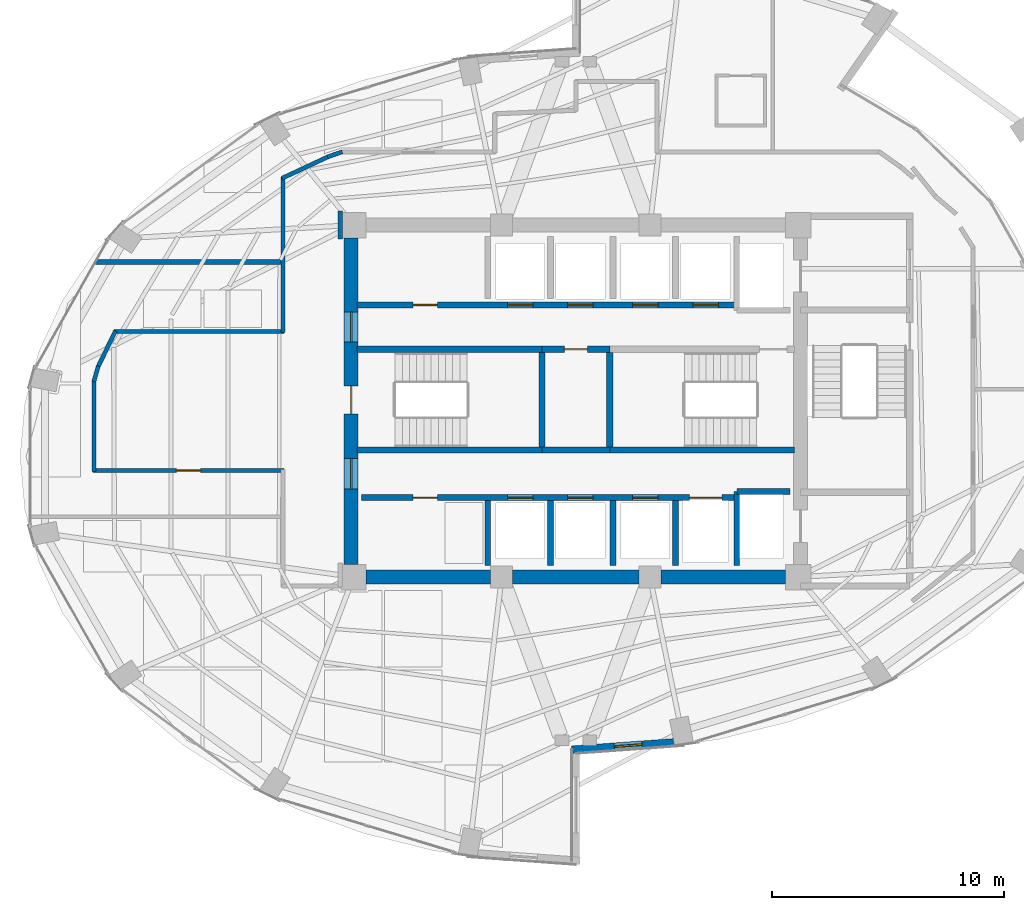
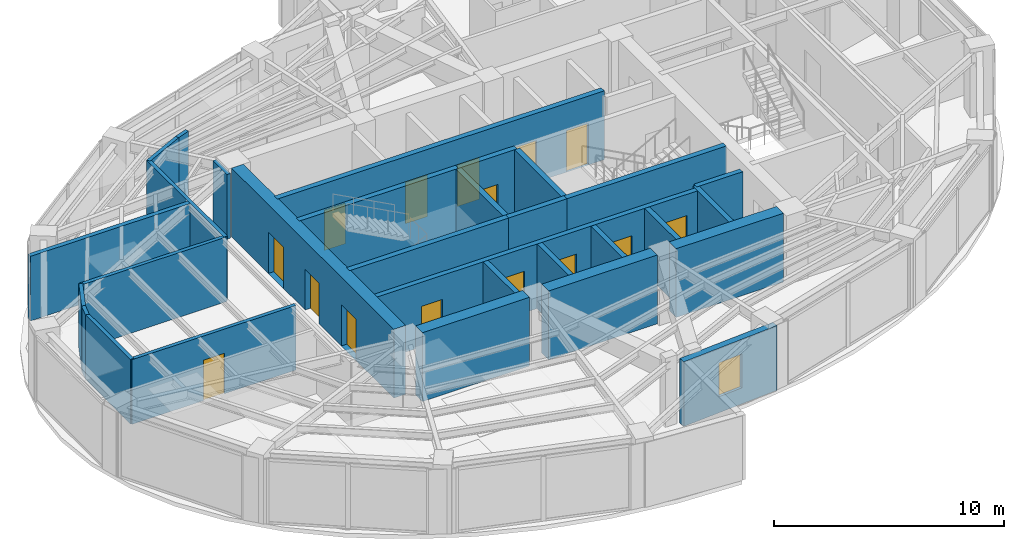
# One storey, part 15 of 19: 30 walls, 15 doors, 1 window, 16 openings.
"""IFC4 building model written with IfcOpenShell, lengths in metres."""

from ifc_helpers import new_model, si_unit, direction, frame, frame_2d, origin, place, context, subcontext, project, spatial, rectangle, extrude, material, layer, layer_set, type_object, element, fill, save


model = new_model("IFC4")

# Units and contexts
model_context = context("Model", 3, precision=1e-05, world=origin(), true_north=direction((0.0, 1.0)))
body_context = subcontext(model_context, "Body", "Model", "MODEL_VIEW")
ifc_project = project(units=[si_unit("LENGTHUNIT", "METRE"), si_unit("AREAUNIT", "SQUARE_METRE"), si_unit("VOLUMEUNIT", "CUBIC_METRE"), si_unit("PLANEANGLEUNIT", "RADIAN"), si_unit("MASSUNIT", "GRAM", prefix="KILO")], contexts=[model_context])

# Site, building, storey
site_placement = place(None, origin())
site = spatial("IfcSite", under=ifc_project, at=site_placement, CompositionType="ELEMENT")
building_placement = place(site_placement, origin())
building = spatial("IfcBuilding", under=site, at=building_placement, Name="Lazwardi Medical Tower", CompositionType="ELEMENT")
storey_placement = place(building_placement, frame((0.0, 0.0, 167.471923828125)))
storey = spatial("IfcBuildingStorey", under=building, at=storey_placement, Name="L43", CompositionType="ELEMENT", Elevation=167.471923828125)

# Walls
ifc_material_1 = material(Name="Fire-rated gypsum board on steel stud", Category="steel")
ifc_layer_1 = layer(ifc_material_1, 0.179931640625)
ifc_layer_set_1 = layer_set([ifc_layer_1], Name="Fire-rated gypsum board on steel stud")
wall_type_1 = type_object("IfcWallType", Name="WL-COR-180", PredefinedType="PARTITIONING", material=ifc_layer_set_1)
wall_1_placement = place(storey_placement, frame((15.350341796875, 29.435791015625, 0.0), z_axis=(0.0, 0.0, 1.0), x_axis=(0.436196025907, 0.899851669434, 0.0)))
element("IfcWall", 1, at=wall_1_placement, inside=storey, type_object=wall_type_1, Name="L43 Corridor partition 1", PredefinedType="PARTITIONING", context=body_context, shape_type="SweptSolid", body=[
    extrude(rectangle(XDim=1.778076171875, YDim=0.179931640625, at=frame_2d((0.88916015625, 0.0))), origin(), (0.0, 0.0, 1.0), 3.427978515625),
])
wall_2_placement = place(storey_placement, frame((16.068359375, 31.0, 0.0), z_axis=(0.0, 0.0, 1.0), x_axis=(1.0, 0.0, 0.0)))
element("IfcWall", 2, at=wall_2_placement, inside=storey, type_object=wall_type_1, Name="L43 Corridor partition 2", PredefinedType="PARTITIONING", context=body_context, shape_type="SweptSolid", body=[
    extrude(rectangle(XDim=7.321533203125, YDim=0.179931640625, at=frame_2d((3.66064453125, 0.0))), origin(), (0.0, 0.0, 1.0), 3.427978515625),
])
wall_3_placement = place(storey_placement, frame((23.35009765625, 30.9599609375, 0.0), z_axis=(0.0, 0.0, 1.0), x_axis=(0.0, 1.0, 0.0)))
element("IfcWall", 3, at=wall_3_placement, inside=storey, type_object=wall_type_1, Name="L43 Corridor partition 3", PredefinedType="PARTITIONING", context=body_context, shape_type="SweptSolid", body=[
    extrude(rectangle(XDim=6.7138671875, YDim=0.179931640625, at=frame_2d((3.35693359375, 0.0))), origin(), (0.0, 0.0, 1.0), 3.427978515625),
])
wall_4_placement = place(storey_placement, frame((23.313720703125, 37.616943359375, 0.0), z_axis=(0.0, 0.0, 1.0), x_axis=(0.905731790856, 0.423851298255, 0.0)))
element("IfcWall", 4, at=wall_4_placement, inside=storey, type_object=wall_type_1, Name="L43 Corridor partition 4", PredefinedType="PARTITIONING", context=body_context, shape_type="SweptSolid", body=[
    extrude(rectangle(XDim=2.255126953125, YDim=0.179931640625, at=frame_2d((1.12744140625, 0.0))), origin(), (0.0, 0.0, 1.0), 3.427978515625),
])
wall_5_placement = place(storey_placement, frame((25.2822265625, 38.54248046875, 0.0), z_axis=(0.0, 0.0, 1.0), x_axis=(0.94508059942, 0.326837361085, 0.0)))
element("IfcWall", 5, at=wall_5_placement, inside=storey, type_object=wall_type_1, Name="L43 Corridor partition 5", PredefinedType="PARTITIONING", context=body_context, shape_type="SweptSolid", body=[
    extrude(rectangle(XDim=0.67529296875, YDim=0.179931640625, at=frame_2d((0.337646484375, 0.0))), origin(), (0.0, 0.0, 1.0), 3.427978515625),
])
wall_6_placement = place(storey_placement, frame((25.830078125, 36.2099609375, 0.0), z_axis=(0.0, 0.0, 1.0), x_axis=(0.0, -1.0, 0.0)))
element("IfcWall", 6, at=wall_6_placement, inside=storey, type_object=wall_type_1, Name="L43 Corridor partition 20", PredefinedType="PARTITIONING", context=body_context, shape_type="SweptSolid", body=[
    extrude(rectangle(XDim=1.219970703125, YDim=0.179931640625, at=frame_2d((0.60986328125, 0.0))), origin(), (0.0, 0.0, 1.0), 3.427978515625),
])

# Wall, opening, door
wall_7_placement = place(storey_placement, frame((23.389892578125, 25.0, 0.0), z_axis=(0.0, 0.0, 1.0), x_axis=(-1.0, 0.0, 0.0)))
wall_7 = element("IfcWall", 7, at=wall_7_placement, inside=storey, type_object=wall_type_1, Name="L43 Corridor partition 24", PredefinedType="PARTITIONING", context=body_context, shape_type="SweptSolid", body=[
    extrude(rectangle(XDim=8.22998046875, YDim=0.179931640625, at=frame_2d((4.114990234375, 0.0))), origin(), (0.0, 0.0, 1.0), 3.427978515625),
])
opening_1_placement = place(wall_7_placement, frame((3.590087890625, 0.0, 0.0)))
opening_1 = element("IfcOpeningElement", 8, at=opening_1_placement, cuts=wall_7, Name="Opening D-L43-012", PredefinedType="OPENING", context=body_context, shape_type="SweptSolid", body=[
    extrude(rectangle(XDim=1.050048828125, YDim=2.14990234375, at=frame_2d((0.52490234375, 1.074951171875))), frame((0.0, 0.099853515625, 0.0), z_axis=(0.0, -1.0, 0.0), x_axis=(1.0, 0.0, 0.0)), (0.0, 0.0, 1.0), 0.199951171875),
])
ifc_material_2 = material(Name="Anti-microbial laminate hospital leaf")
door_type_1 = type_object("IfcDoorType", Name="DR-CLN-1050", OperationType="NOTDEFINED", PredefinedType="DOOR", material=ifc_material_2)
door_1_placement = place(opening_1_placement, origin())
door_1 = element("IfcDoor", 9, at=door_1_placement, inside=storey, type_object=door_type_1, Name="L43 Medical Duty Staff Room Door 04", OperationType="SINGLE_SWING_LEFT", OverallHeight=2.14990234375, OverallWidth=1.050048828125, PredefinedType="DOOR", context=body_context, shape_type="SweptSolid", body=[
    extrude(rectangle(XDim=1.050048828125, YDim=2.14990234375, at=frame_2d((0.52490234375, 1.074951171875))), frame((0.0, 0.02490234375, 0.0), z_axis=(0.0, -1.0, 0.0), x_axis=(1.0, 0.0, 0.0)), (0.0, 0.0, 1.0), 0.050048828125),
])
fill(opening_1, door_1)

# Walls
wall_8_placement = place(storey_placement, frame((15.199951171875, 24.9599609375, 0.0), z_axis=(0.0, 0.0, 1.0), x_axis=(0.0, 1.0, 0.0)))
element("IfcWall", 10, at=wall_8_placement, inside=storey, type_object=wall_type_1, Name="L43 Corridor partition 25", PredefinedType="PARTITIONING", context=body_context, shape_type="SweptSolid", body=[
    extrude(rectangle(XDim=3.961181640625, YDim=0.179931640625, at=frame_2d((1.98046875, 0.0))), origin(), (0.0, 0.0, 1.0), 3.427978515625),
])
wall_9_placement = place(storey_placement, frame((15.189208984375, 28.842529296875, 0.0), z_axis=(0.0, 0.0, 1.0), x_axis=(0.272862960331, 0.962052911684, 0.0)))
element("IfcWall", 11, at=wall_9_placement, inside=storey, type_object=wall_type_1, Name="L43 Corridor partition 26", PredefinedType="PARTITIONING", context=body_context, shape_type="SweptSolid", body=[
    extrude(rectangle(XDim=0.6943359375, YDim=0.179931640625, at=frame_2d((0.34716796875, 0.0))), origin(), (0.0, 0.0, 1.0), 3.427978515625),
])

# Wall, openings, doors
ifc_material_3 = material(Name="Concrete C60/75", Category="concrete")
ifc_layer_2 = layer(ifc_material_3, 0.60009765625)
ifc_layer_set_2 = layer_set([ifc_layer_2], Name="Concrete C60/75")
wall_type_2 = type_object("IfcWallType", Name="WL-CORE-600", PredefinedType="SHEAR", material=ifc_layer_set_2)
wall_10_placement = place(storey_placement, frame((26.300048828125, 20.949951171875, 0.0), z_axis=(0.0, 0.0, 1.0), x_axis=(0.0, 1.0, 0.0)))
wall_10 = element("IfcWall", 12, at=wall_10_placement, inside=storey, type_object=wall_type_2, Name="Core wall CW-S3 west L43", PredefinedType="SHEAR", context=body_context, shape_type="SweptSolid", body=[
    extrude(rectangle(XDim=14.10009765625, YDim=0.60009765625, at=frame_2d((7.050048828125, 0.0))), origin(), (0.0, 0.0, 1.0), 3.648193359375),
])
opening_2_placement = place(wall_10_placement, frame((6.5, 0.0, 0.0)))
opening_2 = element("IfcOpeningElement", 13, at=opening_2_placement, cuts=wall_10, Name="Opening D-L43-013", PredefinedType="OPENING", context=body_context, shape_type="SweptSolid", body=[
    extrude(rectangle(XDim=1.199951171875, YDim=2.14990234375, at=frame_2d((0.60009765625, 1.074951171875))), frame((0.0, 0.31005859375, 0.0), z_axis=(0.0, -1.0, 0.0), x_axis=(1.0, 0.0, 0.0)), (0.0, 0.0, 1.0), 0.6201171875),
])
opening_3_placement = place(wall_10_placement, frame((9.60009765625, 0.0, 0.0)))
opening_3 = element("IfcOpeningElement", 14, at=opening_3_placement, cuts=wall_10, Name="Opening D-L43-007", PredefinedType="OPENING", context=body_context, shape_type="SweptSolid", body=[
    extrude(rectangle(XDim=1.300048828125, YDim=2.199951171875, at=frame_2d((0.64990234375, 1.10009765625))), frame((0.0, 0.31005859375, 0.0), z_axis=(0.0, -1.0, 0.0), x_axis=(1.0, 0.0, 0.0)), (0.0, 0.0, 1.0), 0.6201171875),
])
opening_4_placement = place(wall_10_placement, frame((3.260009765625, 0.0, 0.0)))
opening_4 = element("IfcOpeningElement", 15, at=opening_4_placement, cuts=wall_10, Name="Opening D-L43-008", PredefinedType="OPENING", context=body_context, shape_type="SweptSolid", body=[
    extrude(rectangle(XDim=1.300048828125, YDim=2.199951171875, at=frame_2d((0.64990234375, 1.10009765625))), frame((0.0, 0.31005859375, 0.0), z_axis=(0.0, -1.0, 0.0), x_axis=(1.0, 0.0, 0.0)), (0.0, 0.0, 1.0), 0.6201171875),
])
ifc_material_4 = material(Name="Fire-rated steel leaf and frame", Category="steel")
door_type_2 = type_object("IfcDoorType", Name="DR-FFL-1300", OperationType="NOTDEFINED", PredefinedType="DOOR", material=ifc_material_4)
door_2_placement = place(opening_3_placement, origin())
door_2 = element("IfcDoor", 16, at=door_2_placement, inside=storey, type_object=door_type_2, Name="L43 North Lift Lobby Door", OperationType="SINGLE_SWING_RIGHT", OverallHeight=2.199951171875, OverallWidth=1.300048828125, PredefinedType="DOOR", context=body_context, shape_type="SweptSolid", body=[
    extrude(rectangle(XDim=1.300048828125, YDim=2.199951171875, at=frame_2d((0.64990234375, 1.10009765625))), frame((0.0, 0.02490234375, 0.0), z_axis=(0.0, -1.0, 0.0), x_axis=(1.0, 0.0, 0.0)), (0.0, 0.0, 1.0), 0.050048828125),
])
fill(opening_3, door_2)
door_3_placement = place(opening_4_placement, origin())
door_3 = element("IfcDoor", 17, at=door_3_placement, inside=storey, type_object=door_type_2, Name="L43 South Lift Lobby Door", OperationType="SINGLE_SWING_LEFT", OverallHeight=2.199951171875, OverallWidth=1.300048828125, PredefinedType="DOOR", context=body_context, shape_type="SweptSolid", body=[
    extrude(rectangle(XDim=1.300048828125, YDim=2.199951171875, at=frame_2d((0.64990234375, 1.10009765625))), frame((0.0, 0.02490234375, 0.0), z_axis=(0.0, -1.0, 0.0), x_axis=(1.0, 0.0, 0.0)), (0.0, 0.0, 1.0), 0.050048828125),
])
fill(opening_4, door_3)
door_type_3 = type_object("IfcDoorType", Name="DR-STR-1200", OperationType="NOTDEFINED", PredefinedType="DOOR", material=ifc_material_4)
door_4_placement = place(opening_2_placement, origin())
door_4 = element("IfcDoor", 18, at=door_4_placement, inside=storey, type_object=door_type_3, Name="L43 Exit Stair ST1 Door", OperationType="SINGLE_SWING_LEFT", OverallHeight=2.14990234375, OverallWidth=1.199951171875, PredefinedType="DOOR", context=body_context, shape_type="SweptSolid", body=[
    extrude(rectangle(XDim=1.199951171875, YDim=2.14990234375, at=frame_2d((0.60009765625, 1.074951171875))), frame((0.0, 0.02490234375, 0.0), z_axis=(0.0, -1.0, 0.0), x_axis=(1.0, 0.0, 0.0)), (0.0, 0.0, 1.0), 0.050048828125),
])
fill(opening_2, door_4)

# Walls
wall_11_placement = place(storey_placement, frame((26.949951171875, 20.39990234375, 0.0), z_axis=(0.0, 0.0, 1.0), x_axis=(1.0, 0.0, 0.0)))
element("IfcWall", 19, at=wall_11_placement, inside=storey, type_object=wall_type_2, Name="Core wall CW-S3 S1 L43", PredefinedType="SHEAR", context=body_context, shape_type="SweptSolid", body=[
    extrude(rectangle(XDim=5.375, YDim=0.60009765625, at=frame_2d((2.6875, 0.0))), origin(), (0.0, 0.0, 1.0), 3.648193359375),
])
wall_12_placement = place(storey_placement, frame((33.27490234375, 20.39990234375, 0.0), z_axis=(0.0, 0.0, 1.0), x_axis=(1.0, 0.0, 0.0)))
element("IfcWall", 20, at=wall_12_placement, inside=storey, type_object=wall_type_2, Name="Core wall CW-S3 S2 L43", PredefinedType="SHEAR", context=body_context, shape_type="SweptSolid", body=[
    extrude(rectangle(XDim=5.4501953125, YDim=0.60009765625, at=frame_2d((2.72509765625, 0.0))), origin(), (0.0, 0.0, 1.0), 3.648193359375),
])
wall_13_placement = place(storey_placement, frame((39.675048828125, 20.39990234375, 0.0), z_axis=(0.0, 0.0, 1.0), x_axis=(1.0, 0.0, 0.0)))
element("IfcWall", 21, at=wall_13_placement, inside=storey, type_object=wall_type_2, Name="Core wall CW-S3 S3 L43", PredefinedType="SHEAR", context=body_context, shape_type="SweptSolid", body=[
    extrude(rectangle(XDim=5.375, YDim=0.60009765625, at=frame_2d((2.6875, 0.0))), origin(), (0.0, 0.0, 1.0), 3.648193359375),
])

# Wall, opening, window
ifc_material_5 = material(Name="Precast concrete C45/55", Category="concrete")
ifc_layer_3 = layer(ifc_material_5, 0.320068359375)
ifc_layer_set_3 = layer_set([ifc_layer_3], Name="Precast concrete C45/55")
wall_type_3 = type_object("IfcWallType", Name="WL-IWAN-320", PredefinedType="SOLIDWALL", material=ifc_layer_set_3)
wall_14_placement = place(storey_placement, frame((35.820556640625, 12.947021484375, 0.0), z_axis=(0.0, 0.0, 1.0), x_axis=(0.997415460462, 0.071849838072, 0.0)))
wall_14 = element("IfcWall", 22, at=wall_14_placement, inside=storey, type_object=wall_type_3, Name="L43 Iwan Portal Return Wall SE_ret", PredefinedType="SOLIDWALL", context=body_context, shape_type="SweptSolid", body=[
    extrude(rectangle(XDim=4.89306640625, YDim=0.320068359375, at=frame_2d((2.446533203125, 0.0))), origin(), (0.0, 0.0, 1.0), 3.427978515625),
])
opening_5_placement = place(wall_14_placement, frame((1.846435546875, 0.0, 0.85009765625)))
opening_5 = element("IfcOpeningElement", 23, at=opening_5_placement, cuts=wall_14, Name="Opening WN-04", PredefinedType="OPENING", context=body_context, shape_type="SweptSolid", body=[
    extrude(rectangle(XDim=1.199951171875, YDim=1.800048828125, at=frame_2d((0.60009765625, 0.89990234375))), frame((0.0, 0.169921875, 0.0), z_axis=(0.0, -1.0, 0.0), x_axis=(1.0, 0.0, 0.0)), (0.0, 0.0, 1.0), 0.340087890625),
])
ifc_material_6 = material(Name="Low-e bronze solar control double glazing", Category="glass")
window_type = type_object("IfcWindowType", Name="WIN-DRUM-1200", PartitioningType="SINGLE_PANEL", PredefinedType="WINDOW", material=ifc_material_6)
window_placement = place(opening_5_placement, origin())
window = element("IfcWindow", 24, at=window_placement, inside=storey, type_object=window_type, Name="L43 Iwan Slot Window SE_ret", OverallHeight=1.800048828125, OverallWidth=1.199951171875, PartitioningType="SINGLE_PANEL", PredefinedType="WINDOW", context=body_context, shape_type="SweptSolid", body=[
    extrude(rectangle(XDim=1.199951171875, YDim=1.800048828125, at=frame_2d((0.60009765625, 0.89990234375))), frame((0.0, 0.030029296875, 0.0), z_axis=(0.0, -1.0, 0.0), x_axis=(1.0, 0.0, 0.0)), (0.0, 0.0, 1.0), 0.06005859375),
])
fill(opening_5, window)

# Wall, openings, doors
ifc_material_7 = material(Name="Autoclaved aerated concrete blockwork", Category="masonry")
ifc_layer_4 = layer(ifc_material_7, 0.25)
ifc_layer_set_4 = layer_set([ifc_layer_4], Name="Autoclaved aerated concrete blockwork")
wall_type_4 = type_object("IfcWallType", Name="WL-SHAFT-250", PredefinedType="SOLIDWALL", material=ifc_layer_set_4)
wall_15_placement = place(storey_placement, frame((26.75, 23.830078125, 0.0), z_axis=(0.0, 0.0, 1.0), x_axis=(1.0, 0.0, 0.0)))
wall_15 = element("IfcWall", 25, at=wall_15_placement, inside=storey, type_object=wall_type_4, Name="L43 South lift bank front wall", PredefinedType="SOLIDWALL", context=body_context, shape_type="SweptSolid", body=[
    extrude(rectangle(XDim=16.199951171875, YDim=0.25, at=frame_2d((8.10009765625, 0.0))), origin(), (0.0, 0.0, 1.0), 3.427978515625),
])
opening_6_placement = place(wall_15_placement, frame((2.22509765625, 0.0, 0.0)))
opening_6 = element("IfcOpeningElement", 26, at=opening_6_placement, cuts=wall_15, Name="Opening D-L43-004", PredefinedType="OPENING", context=body_context, shape_type="SweptSolid", body=[
    extrude(rectangle(XDim=1.050048828125, YDim=2.14990234375, at=frame_2d((0.52490234375, 1.074951171875))), frame((0.0, 0.135009765625, 0.0), z_axis=(0.0, -1.0, 0.0), x_axis=(1.0, 0.0, 0.0)), (0.0, 0.0, 1.0), 0.27001953125),
])
opening_7_placement = place(wall_15_placement, frame((6.300048828125, 0.0, 0.0)))
opening_7 = element("IfcOpeningElement", 27, at=opening_7_placement, cuts=wall_15, Name="Opening LD-L43-006", PredefinedType="OPENING", context=body_context, shape_type="SweptSolid", body=[
    extrude(rectangle(XDim=1.10009765625, YDim=2.199951171875, at=frame_2d((0.550048828125, 1.10009765625))), frame((0.0, 0.135009765625, 0.0), z_axis=(0.0, -1.0, 0.0), x_axis=(1.0, 0.0, 0.0)), (0.0, 0.0, 1.0), 0.27001953125),
])
opening_8_placement = place(wall_15_placement, frame((8.89990234375, 0.0, 0.0)))
opening_8 = element("IfcOpeningElement", 28, at=opening_8_placement, cuts=wall_15, Name="Opening LD-L43-007", PredefinedType="OPENING", context=body_context, shape_type="SweptSolid", body=[
    extrude(rectangle(XDim=1.10009765625, YDim=2.199951171875, at=frame_2d((0.550048828125, 1.10009765625))), frame((0.0, 0.135009765625, 0.0), z_axis=(0.0, -1.0, 0.0), x_axis=(1.0, 0.0, 0.0)), (0.0, 0.0, 1.0), 0.27001953125),
])
opening_9_placement = place(wall_15_placement, frame((11.699951171875, 0.0, 0.0)))
opening_9 = element("IfcOpeningElement", 29, at=opening_9_placement, cuts=wall_15, Name="Opening LD-L43-010", PredefinedType="OPENING", context=body_context, shape_type="SweptSolid", body=[
    extrude(rectangle(XDim=1.10009765625, YDim=2.199951171875, at=frame_2d((0.550048828125, 1.10009765625))), frame((0.0, 0.135009765625, 0.0), z_axis=(0.0, -1.0, 0.0), x_axis=(1.0, 0.0, 0.0)), (0.0, 0.0, 1.0), 0.27001953125),
])
opening_10_placement = place(wall_15_placement, frame((14.14990234375, 0.0, 0.0)))
opening_10 = element("IfcOpeningElement", 30, at=opening_10_placement, cuts=wall_15, Name="Opening LD-L43-003", PredefinedType="OPENING", context=body_context, shape_type="SweptSolid", body=[
    extrude(rectangle(XDim=1.39990234375, YDim=2.300048828125, at=frame_2d((0.699951171875, 1.14990234375))), frame((0.0, 0.135009765625, 0.0), z_axis=(0.0, -1.0, 0.0), x_axis=(1.0, 0.0, 0.0)), (0.0, 0.0, 1.0), 0.27001953125),
])
door_5_placement = place(opening_6_placement, origin())
door_5 = element("IfcDoor", 31, at=door_5_placement, inside=storey, type_object=door_type_1, Name="L43 Medication Door", OperationType="SINGLE_SWING_LEFT", OverallHeight=2.14990234375, OverallWidth=1.050048828125, PredefinedType="DOOR", context=body_context, shape_type="SweptSolid", body=[
    extrude(rectangle(XDim=1.050048828125, YDim=2.14990234375, at=frame_2d((0.52490234375, 1.074951171875))), frame((0.0, 0.02490234375, 0.0), z_axis=(0.0, -1.0, 0.0), x_axis=(1.0, 0.0, 0.0)), (0.0, 0.0, 1.0), 0.050048828125),
])
fill(opening_6, door_5)
ifc_material_8 = material(Name="Brushed bronze stainless steel landing door", Category="steel")
door_type_4 = type_object("IfcDoorType", Name="DR-LFT-1100", OperationType="NOTDEFINED", PredefinedType="DOOR", material=ifc_material_8)
door_6_placement = place(opening_7_placement, origin())
door_6 = element("IfcDoor", 32, at=door_6_placement, inside=storey, type_object=door_type_4, Name="L43 Lift Landing Door PL-07", OperationType="SLIDING_TO_LEFT", OverallHeight=2.199951171875, OverallWidth=1.10009765625, PredefinedType="DOOR", context=body_context, shape_type="SweptSolid", body=[
    extrude(rectangle(XDim=1.10009765625, YDim=2.199951171875, at=frame_2d((0.550048828125, 1.10009765625))), frame((0.0, 0.02490234375, 0.0), z_axis=(0.0, -1.0, 0.0), x_axis=(1.0, 0.0, 0.0)), (0.0, 0.0, 1.0), 0.050048828125),
])
fill(opening_7, door_6)
door_7_placement = place(opening_8_placement, origin())
door_7 = element("IfcDoor", 33, at=door_7_placement, inside=storey, type_object=door_type_4, Name="L43 Lift Landing Door PL-08", OperationType="SLIDING_TO_LEFT", OverallHeight=2.199951171875, OverallWidth=1.10009765625, PredefinedType="DOOR", context=body_context, shape_type="SweptSolid", body=[
    extrude(rectangle(XDim=1.10009765625, YDim=2.199951171875, at=frame_2d((0.550048828125, 1.10009765625))), frame((0.0, 0.02490234375, 0.0), z_axis=(0.0, -1.0, 0.0), x_axis=(1.0, 0.0, 0.0)), (0.0, 0.0, 1.0), 0.050048828125),
])
fill(opening_8, door_7)
door_8_placement = place(opening_9_placement, origin())
door_8 = element("IfcDoor", 34, at=door_8_placement, inside=storey, type_object=door_type_4, Name="L43 Lift Landing Door PL-11", OperationType="SLIDING_TO_LEFT", OverallHeight=2.199951171875, OverallWidth=1.10009765625, PredefinedType="DOOR", context=body_context, shape_type="SweptSolid", body=[
    extrude(rectangle(XDim=1.10009765625, YDim=2.199951171875, at=frame_2d((0.550048828125, 1.10009765625))), frame((0.0, 0.02490234375, 0.0), z_axis=(0.0, -1.0, 0.0), x_axis=(1.0, 0.0, 0.0)), (0.0, 0.0, 1.0), 0.050048828125),
])
fill(opening_9, door_8)
ifc_material_9 = material(Name="Brushed stainless steel bed-lift landing door", Category="steel")
door_type_5 = type_object("IfcDoorType", Name="DR-LFT-1400", OperationType="NOTDEFINED", PredefinedType="DOOR", material=ifc_material_9)
door_9_placement = place(opening_10_placement, origin())
door_9 = element("IfcDoor", 35, at=door_9_placement, inside=storey, type_object=door_type_5, Name="L43 Lift Landing Door FL-03", OperationType="SLIDING_TO_LEFT", OverallHeight=2.300048828125, OverallWidth=1.39990234375, PredefinedType="DOOR", context=body_context, shape_type="SweptSolid", body=[
    extrude(rectangle(XDim=1.39990234375, YDim=2.300048828125, at=frame_2d((0.699951171875, 1.14990234375))), frame((0.0, 0.02490234375, 0.0), z_axis=(0.0, -1.0, 0.0), x_axis=(1.0, 0.0, 0.0)), (0.0, 0.0, 1.0), 0.050048828125),
])
fill(opening_10, door_9)

# Walls
wall_16_placement = place(storey_placement, frame((42.949951171875, 20.89990234375, 0.0), z_axis=(0.0, 0.0, 1.0), x_axis=(0.0, 1.0, 0.0)))
element("IfcWall", 36, at=wall_16_placement, inside=storey, type_object=wall_type_4, Name="L43 FL-02 West shaft wall", PredefinedType="SOLIDWALL", context=body_context, shape_type="SweptSolid", body=[
    extrude(rectangle(XDim=3.2001953125, YDim=0.25, at=frame_2d((1.60009765625, 0.0))), origin(), (0.0, 0.0, 1.0), 3.427978515625),
])
wall_17_placement = place(storey_placement, frame((42.949951171875, 24.10009765625, 0.0), z_axis=(0.0, 0.0, 1.0), x_axis=(1.0, 0.0, 0.0)))
element("IfcWall", 37, at=wall_17_placement, inside=storey, type_object=wall_type_4, Name="L43 FL-02 North shaft wall", PredefinedType="SOLIDWALL", context=body_context, shape_type="SweptSolid", body=[
    extrude(rectangle(XDim=2.300048828125, YDim=0.25, at=frame_2d((1.14990234375, 0.0))), origin(), (0.0, 0.0, 1.0), 3.427978515625),
])
for number, where, z_axis, x_axis, name in (
    (38, (32.199951171875, 20.89990234375, 0.0), (0.0, 0.0, 1.0), (0.0, 1.0, 0.0), "L43 South hoistway divider"),
    (39, (34.89990234375, 20.89990234375, 0.0), (0.0, 0.0, 1.0), (0.0, 1.0, 0.0), "L43 South hoistway divider"),
    (40, (37.60009765625, 20.89990234375, 0.0), (0.0, 0.0, 1.0), (0.0, 1.0, 0.0), "L43 South hoistway divider"),
    (41, (40.300048828125, 20.89990234375, 0.0), (0.0, 0.0, 1.0), (0.0, 1.0, 0.0), "L43 South hoistway divider"),
):
    element("IfcWall", number, at=place(storey_placement, frame(where, z_axis=z_axis, x_axis=x_axis)), inside=storey, type_object=wall_type_4, Name=name, PredefinedType="SOLIDWALL", context=body_context, shape_type="SweptSolid", body=[
        extrude(rectangle(XDim=2.800048828125, YDim=0.25, at=frame_2d((1.39990234375, 0.0))), origin(), (0.0, 0.0, 1.0), 3.427978515625),
    ])
ifc_layer_5 = layer(ifc_material_1, 0.219970703125)
ifc_layer_set_5 = layer_set([ifc_layer_5], Name="Fire-rated gypsum board on steel stud")
wall_type_5 = type_object("IfcWallType", Name="WL-SMK-220", PredefinedType="PARTITIONING", material=ifc_layer_set_5)
wall_18_placement = place(storey_placement, frame((15.260986328125, 34.0, 0.0), z_axis=(0.0, 0.0, 1.0), x_axis=(1.0, 0.0, 0.0)))
element("IfcWall", 42, at=wall_18_placement, inside=storey, type_object=wall_type_5, Name="L43 Room partition 2", PredefinedType="PARTITIONING", context=body_context, shape_type="SweptSolid", body=[
    extrude(rectangle(XDim=7.9990234375, YDim=0.219970703125, at=frame_2d((3.99951171875, 0.0))), origin(), (0.0, 0.0, 1.0), 3.427978515625),
])
ifc_material_10 = material(Name="Concrete C50/60", Category="concrete")
ifc_layer_6 = layer(ifc_material_10, 0.27001953125)
ifc_layer_set_6 = layer_set([ifc_layer_6], Name="Concrete C50/60")
wall_type_6 = type_object("IfcWallType", Name="WL-STR-250", PredefinedType="SHEAR", material=ifc_layer_set_6)
wall_19_placement = place(storey_placement, frame((26.550048828125, 30.235107421875, 0.0), z_axis=(0.0, 0.0, 1.0), x_axis=(1.0, 0.0, 0.0)))
element("IfcWall", 43, at=wall_19_placement, inside=storey, type_object=wall_type_6, Name="L43 ST1 North shear shaft wall SW-S1", PredefinedType="SHEAR", context=body_context, shape_type="SweptSolid", body=[
    extrude(rectangle(XDim=7.98486328125, YDim=0.27001953125, at=frame_2d((3.992431640625, 0.0))), origin(), (0.0, 0.0, 1.0), 3.648193359375),
])

# Wall, opening, door
wall_20_placement = place(storey_placement, frame((34.534912109375, 30.235107421875, 0.0), z_axis=(0.0, 0.0, 1.0), x_axis=(1.0, 0.0, 0.0)))
wall_20 = element("IfcWall", 44, at=wall_20_placement, inside=storey, type_object=wall_type_6, Name="L43 Core service North shear wall SW-S1", PredefinedType="SHEAR", context=body_context, shape_type="SweptSolid", body=[
    extrude(rectangle(XDim=2.93017578125, YDim=0.27001953125, at=frame_2d((1.465087890625, 0.0))), origin(), (0.0, 0.0, 1.0), 3.648193359375),
])
opening_11_placement = place(wall_20_placement, frame((0.965087890625, 0.0, 0.0)))
opening_11 = element("IfcOpeningElement", 45, at=opening_11_placement, cuts=wall_20, Name="Opening D-L43-001", PredefinedType="OPENING", context=body_context, shape_type="SweptSolid", body=[
    extrude(rectangle(XDim=1.0, YDim=2.10009765625, at=frame_2d((0.5, 1.050048828125))), frame((0.0, 0.14501953125, 0.0), z_axis=(0.0, -1.0, 0.0), x_axis=(1.0, 0.0, 0.0)), (0.0, 0.0, 1.0), 0.2900390625),
])
ifc_material_11 = material(Name="Moisture-resistant laminate door leaf")
door_type_6 = type_object("IfcDoorType", Name="DR-AWC-1000", OperationType="NOTDEFINED", PredefinedType="DOOR", material=ifc_material_11)
door_10_placement = place(opening_11_placement, origin())
door_10 = element("IfcDoor", 46, at=door_10_placement, inside=storey, type_object=door_type_6, Name="L43 Accessible WC Door", OperationType="SINGLE_SWING_LEFT", OverallHeight=2.10009765625, OverallWidth=1.0, PredefinedType="DOOR", context=body_context, shape_type="SweptSolid", body=[
    extrude(rectangle(XDim=1.0, YDim=2.10009765625, at=frame_2d((0.5, 1.050048828125))), frame((0.0, 0.02490234375, 0.0), z_axis=(0.0, -1.0, 0.0), x_axis=(1.0, 0.0, 0.0)), (0.0, 0.0, 1.0), 0.050048828125),
])
fill(opening_11, door_10)

# Walls
wall_21_placement = place(storey_placement, frame((26.550048828125, 25.885009765625, 0.0), z_axis=(0.0, 0.0, 1.0), x_axis=(1.0, 0.0, 0.0)))
element("IfcWall", 47, at=wall_21_placement, inside=storey, type_object=wall_type_6, Name="L43 ST1 South shear shaft wall SW-S1", PredefinedType="SHEAR", context=body_context, shape_type="SweptSolid", body=[
    extrude(rectangle(XDim=7.98486328125, YDim=0.27001953125, at=frame_2d((3.992431640625, 0.0))), origin(), (0.0, 0.0, 1.0), 3.648193359375),
])
wall_22_placement = place(storey_placement, frame((34.534912109375, 25.885009765625, 0.0), z_axis=(0.0, 0.0, 1.0), x_axis=(1.0, 0.0, 0.0)))
element("IfcWall", 48, at=wall_22_placement, inside=storey, type_object=wall_type_6, Name="L43 Core service South shear wall SW-S1", PredefinedType="SHEAR", context=body_context, shape_type="SweptSolid", body=[
    extrude(rectangle(XDim=2.93017578125, YDim=0.27001953125, at=frame_2d((1.465087890625, 0.0))), origin(), (0.0, 0.0, 1.0), 3.648193359375),
])
wall_23_placement = place(storey_placement, frame((37.465087890625, 25.885009765625, 0.0), z_axis=(0.0, 0.0, 1.0), x_axis=(1.0, 0.0, 0.0)))
element("IfcWall", 49, at=wall_23_placement, inside=storey, type_object=wall_type_6, Name="L43 ST2 South shear shaft wall SW-S1", PredefinedType="SHEAR", context=body_context, shape_type="SweptSolid", body=[
    extrude(rectangle(XDim=7.98486328125, YDim=0.27001953125, at=frame_2d((3.992431640625, 0.0))), origin(), (0.0, 0.0, 1.0), 3.648193359375),
])
for number, where, z_axis, x_axis, name in (
    (50, (34.534912109375, 26.02001953125, 0.0), (0.0, 0.0, 1.0), (0.0, 1.0, 0.0), "L43 ST1 East shear shaft wall SW-S1"),
    (51, (37.465087890625, 26.02001953125, 0.0), (0.0, 0.0, 1.0), (0.0, 1.0, 0.0), "L43 ST2 West shear shaft wall SW-S1"),
):
    element("IfcWall", number, at=place(storey_placement, frame(where, z_axis=z_axis, x_axis=x_axis)), inside=storey, type_object=wall_type_6, Name=name, PredefinedType="SHEAR", context=body_context, shape_type="SweptSolid", body=[
        extrude(rectangle(XDim=4.080078125, YDim=0.27001953125, at=frame_2d((2.0400390625, 0.0))), origin(), (0.0, 0.0, 1.0), 3.648193359375),
    ])

# Wall, openings, doors
wall_24_placement = place(storey_placement, frame((26.550048828125, 32.14990234375, 0.0), z_axis=(0.0, 0.0, 1.0), x_axis=(1.0, 0.0, 0.0)))
wall_24 = element("IfcWall", 52, at=wall_24_placement, inside=storey, type_object=wall_type_6, Name="L43 North lift bank shear wall SW-S1", PredefinedType="SHEAR", context=body_context, shape_type="SweptSolid", body=[
    extrude(rectangle(XDim=16.39990234375, YDim=0.27001953125, at=frame_2d((8.199951171875, 0.0))), origin(), (0.0, 0.0, 1.0), 3.648193359375),
])
opening_12_placement = place(wall_24_placement, frame((2.425048828125, 0.0, 0.0)))
opening_12 = element("IfcOpeningElement", 53, at=opening_12_placement, cuts=wall_24, Name="Opening D-L43-003", PredefinedType="OPENING", context=body_context, shape_type="SweptSolid", body=[
    extrude(rectangle(XDim=1.050048828125, YDim=2.14990234375, at=frame_2d((0.52490234375, 1.074951171875))), frame((0.0, 0.14501953125, 0.0), z_axis=(0.0, -1.0, 0.0), x_axis=(1.0, 0.0, 0.0)), (0.0, 0.0, 1.0), 0.2900390625),
])
opening_13_placement = place(wall_24_placement, frame((6.5, 0.0, 0.0)))
opening_13 = element("IfcOpeningElement", 54, at=opening_13_placement, cuts=wall_24, Name="Opening LD-L43-004", PredefinedType="OPENING", context=body_context, shape_type="SweptSolid", body=[
    extrude(rectangle(XDim=1.10009765625, YDim=2.199951171875, at=frame_2d((0.550048828125, 1.10009765625))), frame((0.0, 0.14501953125, 0.0), z_axis=(0.0, -1.0, 0.0), x_axis=(1.0, 0.0, 0.0)), (0.0, 0.0, 1.0), 0.2900390625),
])
opening_14_placement = place(wall_24_placement, frame((9.10009765625, 0.0, 0.0)))
opening_14 = element("IfcOpeningElement", 55, at=opening_14_placement, cuts=wall_24, Name="Opening LD-L43-005", PredefinedType="OPENING", context=body_context, shape_type="SweptSolid", body=[
    extrude(rectangle(XDim=1.10009765625, YDim=2.199951171875, at=frame_2d((0.550048828125, 1.10009765625))), frame((0.0, 0.14501953125, 0.0), z_axis=(0.0, -1.0, 0.0), x_axis=(1.0, 0.0, 0.0)), (0.0, 0.0, 1.0), 0.2900390625),
])
opening_15_placement = place(wall_24_placement, frame((11.89990234375, 0.0, 0.0)))
opening_15 = element("IfcOpeningElement", 56, at=opening_15_placement, cuts=wall_24, Name="Opening LD-L43-008", PredefinedType="OPENING", context=body_context, shape_type="SweptSolid", body=[
    extrude(rectangle(XDim=1.10009765625, YDim=2.199951171875, at=frame_2d((0.550048828125, 1.10009765625))), frame((0.0, 0.14501953125, 0.0), z_axis=(0.0, -1.0, 0.0), x_axis=(1.0, 0.0, 0.0)), (0.0, 0.0, 1.0), 0.2900390625),
])
opening_16_placement = place(wall_24_placement, frame((14.5, 0.0, 0.0)))
opening_16 = element("IfcOpeningElement", 57, at=opening_16_placement, cuts=wall_24, Name="Opening LD-L43-009", PredefinedType="OPENING", context=body_context, shape_type="SweptSolid", body=[
    extrude(rectangle(XDim=1.10009765625, YDim=2.199951171875, at=frame_2d((0.550048828125, 1.10009765625))), frame((0.0, 0.14501953125, 0.0), z_axis=(0.0, -1.0, 0.0), x_axis=(1.0, 0.0, 0.0)), (0.0, 0.0, 1.0), 0.2900390625),
])
door_11_placement = place(opening_12_placement, origin())
door_11 = element("IfcDoor", 58, at=door_11_placement, inside=storey, type_object=door_type_1, Name="L43 Telemedicine Door", OperationType="SINGLE_SWING_RIGHT", OverallHeight=2.14990234375, OverallWidth=1.050048828125, PredefinedType="DOOR", context=body_context, shape_type="SweptSolid", body=[
    extrude(rectangle(XDim=1.050048828125, YDim=2.14990234375, at=frame_2d((0.52490234375, 1.074951171875))), frame((0.0, 0.02490234375, 0.0), z_axis=(0.0, -1.0, 0.0), x_axis=(1.0, 0.0, 0.0)), (0.0, 0.0, 1.0), 0.050048828125),
])
fill(opening_12, door_11)
door_12_placement = place(opening_13_placement, origin())
door_12 = element("IfcDoor", 59, at=door_12_placement, inside=storey, type_object=door_type_4, Name="L43 Lift Landing Door PL-05", OperationType="SLIDING_TO_LEFT", OverallHeight=2.199951171875, OverallWidth=1.10009765625, PredefinedType="DOOR", context=body_context, shape_type="SweptSolid", body=[
    extrude(rectangle(XDim=1.10009765625, YDim=2.199951171875, at=frame_2d((0.550048828125, 1.10009765625))), frame((0.0, 0.02490234375, 0.0), z_axis=(0.0, -1.0, 0.0), x_axis=(1.0, 0.0, 0.0)), (0.0, 0.0, 1.0), 0.050048828125),
])
fill(opening_13, door_12)
door_13_placement = place(opening_14_placement, origin())
door_13 = element("IfcDoor", 60, at=door_13_placement, inside=storey, type_object=door_type_4, Name="L43 Lift Landing Door PL-06", OperationType="SLIDING_TO_LEFT", OverallHeight=2.199951171875, OverallWidth=1.10009765625, PredefinedType="DOOR", context=body_context, shape_type="SweptSolid", body=[
    extrude(rectangle(XDim=1.10009765625, YDim=2.199951171875, at=frame_2d((0.550048828125, 1.10009765625))), frame((0.0, 0.02490234375, 0.0), z_axis=(0.0, -1.0, 0.0), x_axis=(1.0, 0.0, 0.0)), (0.0, 0.0, 1.0), 0.050048828125),
])
fill(opening_14, door_13)
door_14_placement = place(opening_15_placement, origin())
door_14 = element("IfcDoor", 61, at=door_14_placement, inside=storey, type_object=door_type_4, Name="L43 Lift Landing Door PL-09", OperationType="SLIDING_TO_LEFT", OverallHeight=2.199951171875, OverallWidth=1.10009765625, PredefinedType="DOOR", context=body_context, shape_type="SweptSolid", body=[
    extrude(rectangle(XDim=1.10009765625, YDim=2.199951171875, at=frame_2d((0.550048828125, 1.10009765625))), frame((0.0, 0.02490234375, 0.0), z_axis=(0.0, -1.0, 0.0), x_axis=(1.0, 0.0, 0.0)), (0.0, 0.0, 1.0), 0.050048828125),
])
fill(opening_15, door_14)
door_15_placement = place(opening_16_placement, origin())
door_15 = element("IfcDoor", 62, at=door_15_placement, inside=storey, type_object=door_type_4, Name="L43 Lift Landing Door PL-10", OperationType="SLIDING_TO_LEFT", OverallHeight=2.199951171875, OverallWidth=1.10009765625, PredefinedType="DOOR", context=body_context, shape_type="SweptSolid", body=[
    extrude(rectangle(XDim=1.10009765625, YDim=2.199951171875, at=frame_2d((0.550048828125, 1.10009765625))), frame((0.0, 0.02490234375, 0.0), z_axis=(0.0, -1.0, 0.0), x_axis=(1.0, 0.0, 0.0)), (0.0, 0.0, 1.0), 0.050048828125),
])
fill(opening_16, door_15)

save(model, "model.ifc")
